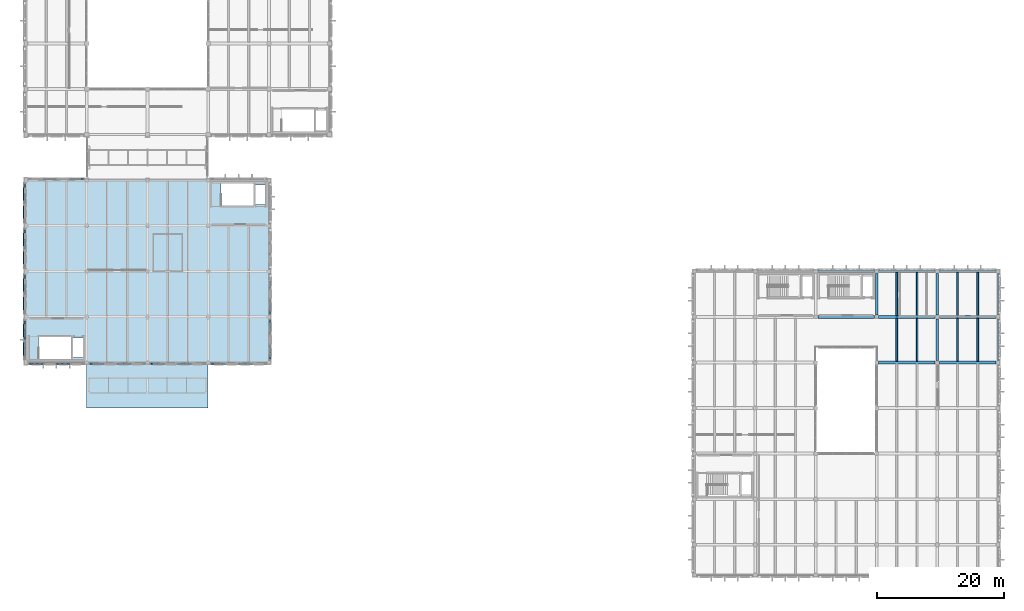
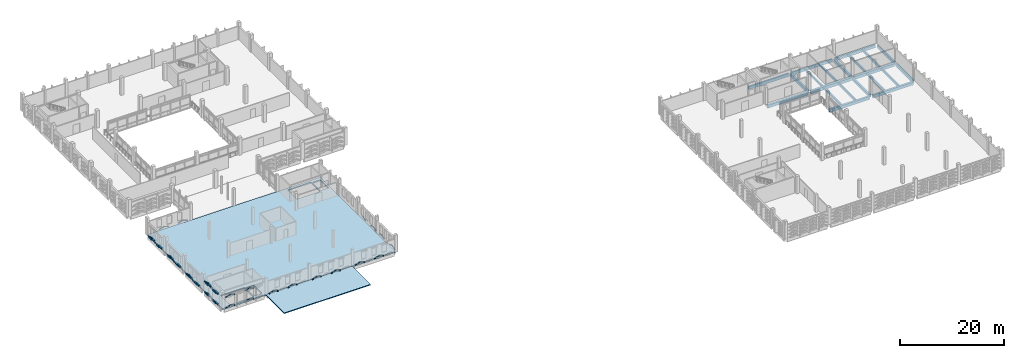
# One storey, part 34 of 72: 61 plates, 21 beams, 2 slabs.
"""IFC4 building model written with IfcOpenShell, lengths in metres."""

from ifc_helpers import new_model, si_unit, direction, frame, origin, origin_2d, place, context, subcontext, project, spatial, polyline, rectangle, hollow_rectangle, outline, extrude, material, layer, layer_set, material_profile, profile_set, type_object, element, save


model = new_model("IFC4")

# Units and contexts
model_context = context("Model", 3, precision=1e-05, world=origin(), true_north=direction((0.0, 1.0)))
body_context = subcontext(model_context, "Body", "Model", "MODEL_VIEW")
ifc_project = project(units=[si_unit("LENGTHUNIT", "METRE"), si_unit("AREAUNIT", "SQUARE_METRE"), si_unit("VOLUMEUNIT", "CUBIC_METRE"), si_unit("PLANEANGLEUNIT", "RADIAN"), si_unit("MASSUNIT", "GRAM", prefix="KILO")], contexts=[model_context])

# Site, building, storey
site_placement = place(None, origin())
site = spatial("IfcSite", under=ifc_project, at=site_placement, CompositionType="ELEMENT")
building_placement = place(site_placement, origin())
building = spatial("IfcBuilding", under=site, at=building_placement, Name="Asteropetra Specialist Clinic", CompositionType="ELEMENT")
storey_placement = place(building_placement, frame((0.0, 0.0, 12.580078125)))
storey = spatial("IfcBuildingStorey", under=building, at=storey_placement, Name="L03", CompositionType="ELEMENT", Elevation=12.580078125)

# Beams
ifc_material_1 = material(Name="Concrete C35/45", Category="concrete")
ifc_material_profile_1 = material_profile(ifc_material_1, rectangle(XDim=0.39990234375, YDim=0.64990234375, at=origin_2d()), Name="RCB 400x650")
ifc_profile_set_1 = profile_set([ifc_material_profile_1], Name="Concrete C35/45")
beam_type_1 = type_object("IfcBeamType", Name="BM-RC400x650", PredefinedType="BEAM", material=ifc_profile_set_1)
for number, where, z_axis, x_axis, name in (
    (1, (144.0, 33.925048828125, -0.625), (0.0, 1.0, 0.0), (-1.0, 0.0, 0.0), "Beam BBM07-1545"),
    (2, (134.39990234375, 41.125, -0.625), (0.0, 1.0, 0.0), (-1.0, 0.0, 0.0), "Beam BBM07-1558"),
    (3, (144.0, 41.125, -0.625), (0.0, 1.0, 0.0), (-1.0, 0.0, 0.0), "Beam BBM07-1559"),
):
    element("IfcBeam", number, at=place(storey_placement, frame(where, z_axis=z_axis, x_axis=x_axis)), inside=storey, type_object=beam_type_1, Name=name, PredefinedType="BEAM", context=body_context, shape_type="SweptSolid", body=[
        extrude(rectangle(XDim=0.39990234375, YDim=0.64990234375, at=origin_2d()), origin(), (0.0, 0.0, 1.0), 6.550048828125),
    ])
ifc_material_2 = material(Name="Concrete C35/45", Category="concrete")
ifc_material_profile_2 = material_profile(ifc_material_2, rectangle(XDim=0.449951171875, YDim=0.699951171875, at=origin_2d()), Name="RCB 450x700")
ifc_profile_set_2 = profile_set([ifc_material_profile_2], Name="Concrete C35/45")
beam_type_2 = type_object("IfcBeamType", Name="BM-RC450x700", PredefinedType="BEAM", material=ifc_profile_set_2)
for number, where, z_axis, x_axis, name in (
    (4, (134.72509765625, 33.60009765625, -0.650146484375), (1.0, 0.0, 0.0), (0.0, 1.0, 0.0), "Beam BBM05-1463"),
    (5, (144.324951171875, 33.60009765625, -0.650146484375), (1.0, 0.0, 0.0), (0.0, 1.0, 0.0), "Beam BBM05-1464"),
    (6, (125.125, 40.800048828125, -0.650146484375), (1.0, 0.0, 0.0), (0.0, 1.0, 0.0), "Beam BBM05-1467"),
    (7, (134.72509765625, 40.800048828125, -0.650146484375), (1.0, 0.0, 0.0), (0.0, 1.0, 0.0), "Beam BBM05-1468"),
    (8, (144.324951171875, 40.800048828125, -0.650146484375), (1.0, 0.0, 0.0), (0.0, 1.0, 0.0), "Beam BBM05-1469"),
):
    element("IfcBeam", number, at=place(storey_placement, frame(where, z_axis=z_axis, x_axis=x_axis)), inside=storey, type_object=beam_type_2, Name=name, PredefinedType="BEAM", context=body_context, shape_type="SweptSolid", body=[
        extrude(rectangle(XDim=0.449951171875, YDim=0.699951171875, at=origin_2d()), origin(), (0.0, 0.0, 1.0), 8.949951171875),
    ])
ifc_material_3 = material(Name="Concrete C35/45", Category="concrete")
ifc_material_profile_3 = material_profile(ifc_material_3, rectangle(XDim=0.280029296875, YDim=0.52001953125, at=origin_2d()), Name="RCJ 280x520")
ifc_profile_set_3 = profile_set([ifc_material_profile_3], Name="Concrete C35/45")
beam_type_3 = type_object("IfcBeamType", Name="JST-RC280x520", PredefinedType="JOIST", material=ifc_profile_set_3)
for number, where, z_axis, x_axis, name in (
    (9, (137.60009765625, 33.824951171875, -0.56005859375), (0.0, 1.0, 0.0), (-1.0, 0.0, 0.0), "Joist JJST01-1551"),
    (10, (140.800048828125, 33.824951171875, -0.56005859375), (0.0, 1.0, 0.0), (-1.0, 0.0, 0.0), "Joist JJST01-1552"),
    (11, (147.199951171875, 33.824951171875, -0.56005859375), (0.0, 1.0, 0.0), (-1.0, 0.0, 0.0), "Joist JJST01-1553"),
    (12, (150.39990234375, 33.824951171875, -0.56005859375), (0.0, 1.0, 0.0), (-1.0, 0.0, 0.0), "Joist JJST01-1554"),
):
    element("IfcBeam", number, at=place(storey_placement, frame(where, z_axis=z_axis, x_axis=x_axis)), inside=storey, type_object=beam_type_3, Name=name, PredefinedType="JOIST", context=body_context, shape_type="SweptSolid", body=[
        extrude(rectangle(XDim=0.280029296875, YDim=0.52001953125, at=origin_2d()), origin(), (0.0, 0.0, 1.0), 6.75),
    ])
for number, where, z_axis, x_axis, name in (
    (13, (137.60009765625, 41.02490234375, -0.56005859375), (0.0, 1.0, 0.0), (-1.0, 0.0, 0.0), "Joist JJST01-1563"),
    (14, (140.800048828125, 41.02490234375, -0.56005859375), (0.0, 1.0, 0.0), (-1.0, 0.0, 0.0), "Joist JJST01-1564"),
    (15, (147.199951171875, 41.02490234375, -0.56005859375), (0.0, 1.0, 0.0), (-1.0, 0.0, 0.0), "Joist JJST01-1565"),
    (16, (150.39990234375, 41.02490234375, -0.56005859375), (0.0, 1.0, 0.0), (-1.0, 0.0, 0.0), "Joist JJST01-1566"),
):
    element("IfcBeam", number, at=place(storey_placement, frame(where, z_axis=z_axis, x_axis=x_axis)), inside=storey, type_object=beam_type_3, Name=name, PredefinedType="JOIST", context=body_context, shape_type="SweptSolid", body=[
        extrude(rectangle(XDim=0.280029296875, YDim=0.52001953125, at=origin_2d()), origin(), (0.0, 0.0, 1.0), 6.815185546875),
    ])
ifc_material_4 = material(Name="Concrete C35/45", Category="concrete")
ifc_material_profile_4 = material_profile(ifc_material_4, rectangle(XDim=0.320068359375, YDim=0.699951171875, at=origin_2d()), Name="RCS 320x700")
ifc_profile_set_4 = profile_set([ifc_material_profile_4], Name="Concrete C35/45")
beam_type_4 = type_object("IfcBeamType", Name="SPN-RC320x700", PredefinedType="SPANDREL", material=ifc_profile_set_4)
for number, where, z_axis, x_axis, name in (
    (17, (125.125, 48.0, -0.650146484375), (1.0, 0.0, 0.0), (0.0, 1.0, 0.0), "Beam BSPN02-1472"),
    (18, (134.72509765625, 48.0, -0.650146484375), (1.0, 0.0, 0.0), (0.0, 1.0, 0.0), "Beam BSPN02-1473"),
    (19, (144.324951171875, 48.0, -0.650146484375), (1.0, 0.0, 0.0), (0.0, 1.0, 0.0), "Beam BSPN02-1474"),
):
    element("IfcBeam", number, at=place(storey_placement, frame(where, z_axis=z_axis, x_axis=x_axis)), inside=storey, type_object=beam_type_4, Name=name, PredefinedType="SPANDREL", context=body_context, shape_type="SweptSolid", body=[
        extrude(rectangle(XDim=0.320068359375, YDim=0.699951171875, at=origin_2d()), origin(), (0.0, 0.0, 1.0), 8.949951171875),
    ])
for number, where, z_axis, x_axis, name in (
    (20, (153.60009765625, 33.925048828125, -0.650146484375), (0.0, 1.0, 0.0), (-1.0, 0.0, 0.0), "Beam BSPN02-1546"),
    (21, (153.60009765625, 41.125, -0.650146484375), (0.0, 1.0, 0.0), (-1.0, 0.0, 0.0), "Beam BSPN02-1560"),
):
    element("IfcBeam", number, at=place(storey_placement, frame(where, z_axis=z_axis, x_axis=x_axis)), inside=storey, type_object=beam_type_4, Name=name, PredefinedType="SPANDREL", context=body_context, shape_type="SweptSolid", body=[
        extrude(rectangle(XDim=0.320068359375, YDim=0.699951171875, at=origin_2d()), origin(), (0.0, 0.0, 1.0), 6.550048828125),
    ])

# Plates
ifc_material_5 = material(Name="Chevron emerald aluminium 6063-T6", Category="aluminium")
ifc_material_profile_5 = material_profile(ifc_material_5, hollow_rectangle(XDim=0.139892578125, YDim=0.139892578125, WallThickness=0.008056640625, InnerFilletRadius=0.008056640625, OuterFilletRadius=0.01611328125, at=origin_2d()), Name="SHS 140x140x8.0")
ifc_profile_set_5 = profile_set([ifc_material_profile_5], Name="Chevron emerald aluminium 6063-T6")
plate_type_1 = type_object("IfcPlateType", Name="CHV-RIB-140", PredefinedType="SHEET", material=ifc_profile_set_5)
plate_1_placement = place(storey_placement, frame((0.614990234375, 33.3955078125, 0.079833984375), z_axis=(0.952021547516, 0.0, 0.306031000169), x_axis=(0.0, 1.0, 0.0)))
element("IfcPlate", 22, at=plate_1_placement, inside=storey, type_object=plate_type_1, Name="Chevron Facade Screen Fin CVR-1914", PredefinedType="SHEET", context=body_context, shape_type="SweptSolid", body=[
    extrude(hollow_rectangle(XDim=0.139892578125, YDim=0.139892578125, WallThickness=0.008056640625, InnerFilletRadius=0.008056640625, OuterFilletRadius=0.01611328125, at=origin_2d()), origin(), (0.0, 0.0, 1.0), 1.086669921875),
])
plate_2_placement = place(storey_placement, frame((1.6494140625, 33.3955078125, 0.412353515625), z_axis=(0.952000497205, 0.0, -0.306096477147), x_axis=(0.0, 1.0, 0.0)))
element("IfcPlate", 23, at=plate_2_placement, inside=storey, type_object=plate_type_1, Name="Chevron Facade Screen Fin CVR-1915", PredefinedType="SHEET", context=body_context, shape_type="SweptSolid", body=[
    extrude(hollow_rectangle(XDim=0.139892578125, YDim=0.139892578125, WallThickness=0.008056640625, InnerFilletRadius=0.008056640625, OuterFilletRadius=0.01611328125, at=origin_2d()), origin(), (0.0, 0.0, 1.0), 1.08642578125),
])
plate_3_placement = place(storey_placement, frame((0.614990234375, 33.3955078125, 2.599853515625), z_axis=(0.952021547516, 0.0, 0.306031000169), x_axis=(0.0, 1.0, 0.0)))
element("IfcPlate", 24, at=plate_3_placement, inside=storey, type_object=plate_type_1, Name="Chevron Facade Screen Fin CVR-1916", PredefinedType="SHEET", context=body_context, shape_type="SweptSolid", body=[
    extrude(hollow_rectangle(XDim=0.139892578125, YDim=0.139892578125, WallThickness=0.008056640625, InnerFilletRadius=0.008056640625, OuterFilletRadius=0.01611328125, at=origin_2d()), origin(), (0.0, 0.0, 1.0), 1.086669921875),
])
plate_4_placement = place(storey_placement, frame((1.6494140625, 33.3955078125, 2.932373046875), z_axis=(0.952000497205, 0.0, -0.306096477147), x_axis=(0.0, 1.0, 0.0)))
element("IfcPlate", 25, at=plate_4_placement, inside=storey, type_object=plate_type_1, Name="Chevron Facade Screen Fin CVR-1917", PredefinedType="SHEET", context=body_context, shape_type="SweptSolid", body=[
    extrude(hollow_rectangle(XDim=0.139892578125, YDim=0.139892578125, WallThickness=0.008056640625, InnerFilletRadius=0.008056640625, OuterFilletRadius=0.01611328125, at=origin_2d()), origin(), (0.0, 0.0, 1.0), 1.08642578125),
])
for number, where, z_axis, x_axis, name in (
    (26, (4.83251953125, 33.3955078125, 0.079833984375), (0.952021547516, 0.0, 0.306031000169), (0.0, 1.0, 0.0), "Chevron Facade Screen Fin CVR-1918"),
    (27, (5.866943359375, 33.3955078125, 0.412353515625), (0.952021547516, 0.0, -0.306031000169), (0.0, 1.0, 0.0), "Chevron Facade Screen Fin CVR-1919"),
    (28, (4.83251953125, 33.3955078125, 2.599853515625), (0.952021547516, 0.0, 0.306031000169), (0.0, 1.0, 0.0), "Chevron Facade Screen Fin CVR-1920"),
    (29, (5.866943359375, 33.3955078125, 2.932373046875), (0.952021547516, 0.0, -0.306031000169), (0.0, 1.0, 0.0), "Chevron Facade Screen Fin CVR-1921"),
    (30, (9.010009765625, 62.6044921875, 0.079833984375), (-0.952021547516, 0.0, 0.306031000169), (0.0, -1.0, 0.0), "Chevron Facade Screen Fin CVR-1922"),
):
    element("IfcPlate", number, at=place(storey_placement, frame(where, z_axis=z_axis, x_axis=x_axis)), inside=storey, type_object=plate_type_1, Name=name, PredefinedType="SHEET", context=body_context, shape_type="SweptSolid", body=[
        extrude(hollow_rectangle(XDim=0.139892578125, YDim=0.139892578125, WallThickness=0.008056640625, InnerFilletRadius=0.008056640625, OuterFilletRadius=0.01611328125, at=origin_2d()), origin(), (0.0, 0.0, 1.0), 1.086669921875),
    ])
plate_5_placement = place(storey_placement, frame((7.9755859375, 62.6044921875, 0.412353515625), z_axis=(-0.952000497205, 0.0, -0.306096477147), x_axis=(0.0, -1.0, 0.0)))
element("IfcPlate", 31, at=plate_5_placement, inside=storey, type_object=plate_type_1, Name="Chevron Facade Screen Fin CVR-1923", PredefinedType="SHEET", context=body_context, shape_type="SweptSolid", body=[
    extrude(hollow_rectangle(XDim=0.139892578125, YDim=0.139892578125, WallThickness=0.008056640625, InnerFilletRadius=0.008056640625, OuterFilletRadius=0.01611328125, at=origin_2d()), origin(), (0.0, 0.0, 1.0), 1.08642578125),
])
for number, where, z_axis, x_axis, name in (
    (32, (4.79248046875, 62.6044921875, 0.079833984375), (-0.952021547516, 0.0, 0.306031000169), (0.0, -1.0, 0.0), "Chevron Facade Screen Fin CVR-1924"),
    (33, (3.758056640625, 62.6044921875, 0.412353515625), (-0.952021547516, 0.0, -0.306031000169), (0.0, -1.0, 0.0), "Chevron Facade Screen Fin CVR-1925"),
):
    element("IfcPlate", number, at=place(storey_placement, frame(where, z_axis=z_axis, x_axis=x_axis)), inside=storey, type_object=plate_type_1, Name=name, PredefinedType="SHEET", context=body_context, shape_type="SweptSolid", body=[
        extrude(hollow_rectangle(XDim=0.139892578125, YDim=0.139892578125, WallThickness=0.008056640625, InnerFilletRadius=0.008056640625, OuterFilletRadius=0.01611328125, at=origin_2d()), origin(), (0.0, 0.0, 1.0), 1.086669921875),
    ])
plate_6_placement = place(storey_placement, frame((10.18994140625, 33.3955078125, 0.079833984375), z_axis=(0.952033222609, 0.0, 0.305994678137), x_axis=(0.0, 1.0, 0.0)))
element("IfcPlate", 34, at=plate_6_placement, inside=storey, type_object=plate_type_1, Name="Chevron Facade Screen Fin CVR-1926", PredefinedType="SHEET", context=body_context, shape_type="SweptSolid", body=[
    extrude(hollow_rectangle(XDim=0.139892578125, YDim=0.139892578125, WallThickness=0.008056640625, InnerFilletRadius=0.008056640625, OuterFilletRadius=0.01611328125, at=origin_2d()), origin(), (0.0, 0.0, 1.0), 1.08984375),
])
plate_7_placement = place(storey_placement, frame((11.2275390625, 33.3955078125, 0.413330078125), z_axis=(0.952012241431, 0.0, -0.306059948646), x_axis=(0.0, 1.0, 0.0)))
element("IfcPlate", 35, at=plate_7_placement, inside=storey, type_object=plate_type_1, Name="Chevron Facade Screen Fin CVR-1927", PredefinedType="SHEET", context=body_context, shape_type="SweptSolid", body=[
    extrude(hollow_rectangle(XDim=0.139892578125, YDim=0.139892578125, WallThickness=0.008056640625, InnerFilletRadius=0.008056640625, OuterFilletRadius=0.01611328125, at=origin_2d()), origin(), (0.0, 0.0, 1.0), 1.089599609375),
])
for number, where, z_axis, x_axis, name in (
    (36, (14.419921875, 33.3955078125, 0.079833984375), (0.952033222609, 0.0, 0.305994678137), (0.0, 1.0, 0.0), "Chevron Facade Screen Fin CVR-1928"),
    (37, (15.45751953125, 33.3955078125, 0.413330078125), (0.952033222609, 0.0, -0.305994678137), (0.0, 1.0, 0.0), "Chevron Facade Screen Fin CVR-1929"),
):
    element("IfcPlate", number, at=place(storey_placement, frame(where, z_axis=z_axis, x_axis=x_axis)), inside=storey, type_object=plate_type_1, Name=name, PredefinedType="SHEET", context=body_context, shape_type="SweptSolid", body=[
        extrude(hollow_rectangle(XDim=0.139892578125, YDim=0.139892578125, WallThickness=0.008056640625, InnerFilletRadius=0.008056640625, OuterFilletRadius=0.01611328125, at=origin_2d()), origin(), (0.0, 0.0, 1.0), 1.08984375),
    ])
plate_8_placement = place(storey_placement, frame((19.7900390625, 33.3955078125, 0.079833984375), z_axis=(0.952012241431, 0.0, 0.306059948646), x_axis=(0.0, 1.0, 0.0)))
element("IfcPlate", 38, at=plate_8_placement, inside=storey, type_object=plate_type_1, Name="Chevron Facade Screen Fin CVR-1930", PredefinedType="SHEET", context=body_context, shape_type="SweptSolid", body=[
    extrude(hollow_rectangle(XDim=0.139892578125, YDim=0.139892578125, WallThickness=0.008056640625, InnerFilletRadius=0.008056640625, OuterFilletRadius=0.01611328125, at=origin_2d()), origin(), (0.0, 0.0, 1.0), 1.089599609375),
])
for number, where, z_axis, x_axis, name in (
    (39, (20.827392578125, 33.3955078125, 0.413330078125), (0.952033222609, 0.0, -0.305994678137), (0.0, 1.0, 0.0), "Chevron Facade Screen Fin CVR-1931"),
    (40, (24.02001953125, 33.3955078125, 0.079833984375), (0.952033222609, 0.0, 0.305994678137), (0.0, 1.0, 0.0), "Chevron Facade Screen Fin CVR-1932"),
):
    element("IfcPlate", number, at=place(storey_placement, frame(where, z_axis=z_axis, x_axis=x_axis)), inside=storey, type_object=plate_type_1, Name=name, PredefinedType="SHEET", context=body_context, shape_type="SweptSolid", body=[
        extrude(hollow_rectangle(XDim=0.139892578125, YDim=0.139892578125, WallThickness=0.008056640625, InnerFilletRadius=0.008056640625, OuterFilletRadius=0.01611328125, at=origin_2d()), origin(), (0.0, 0.0, 1.0), 1.08984375),
    ])
plate_9_placement = place(storey_placement, frame((25.0576171875, 33.3955078125, 0.413330078125), z_axis=(0.952012241431, 0.0, -0.306059948646), x_axis=(0.0, 1.0, 0.0)))
element("IfcPlate", 41, at=plate_9_placement, inside=storey, type_object=plate_type_1, Name="Chevron Facade Screen Fin CVR-1933", PredefinedType="SHEET", context=body_context, shape_type="SweptSolid", body=[
    extrude(hollow_rectangle(XDim=0.139892578125, YDim=0.139892578125, WallThickness=0.008056640625, InnerFilletRadius=0.008056640625, OuterFilletRadius=0.01611328125, at=origin_2d()), origin(), (0.0, 0.0, 1.0), 1.089599609375),
])
for number, where, z_axis, x_axis, name in (
    (42, (29.389892578125, 33.3955078125, 0.079833984375), (0.952033222609, 0.0, 0.305994678137), (0.0, 1.0, 0.0), "Chevron Facade Screen Fin CVR-1934"),
    (43, (30.427490234375, 33.3955078125, 0.413330078125), (0.952033222609, 0.0, -0.305994678137), (0.0, 1.0, 0.0), "Chevron Facade Screen Fin CVR-1935"),
):
    element("IfcPlate", number, at=place(storey_placement, frame(where, z_axis=z_axis, x_axis=x_axis)), inside=storey, type_object=plate_type_1, Name=name, PredefinedType="SHEET", context=body_context, shape_type="SweptSolid", body=[
        extrude(hollow_rectangle(XDim=0.139892578125, YDim=0.139892578125, WallThickness=0.008056640625, InnerFilletRadius=0.008056640625, OuterFilletRadius=0.01611328125, at=origin_2d()), origin(), (0.0, 0.0, 1.0), 1.08984375),
    ])
plate_10_placement = place(storey_placement, frame((33.6201171875, 33.3955078125, 0.079833984375), z_axis=(0.952012241431, 0.0, 0.306059948646), x_axis=(0.0, 1.0, 0.0)))
element("IfcPlate", 44, at=plate_10_placement, inside=storey, type_object=plate_type_1, Name="Chevron Facade Screen Fin CVR-1936", PredefinedType="SHEET", context=body_context, shape_type="SweptSolid", body=[
    extrude(hollow_rectangle(XDim=0.139892578125, YDim=0.139892578125, WallThickness=0.008056640625, InnerFilletRadius=0.008056640625, OuterFilletRadius=0.01611328125, at=origin_2d()), origin(), (0.0, 0.0, 1.0), 1.089599609375),
])
plate_11_placement = place(storey_placement, frame((34.657470703125, 33.3955078125, 0.413330078125), z_axis=(0.952033222609, 0.0, -0.305994678137), x_axis=(0.0, 1.0, 0.0)))
element("IfcPlate", 45, at=plate_11_placement, inside=storey, type_object=plate_type_1, Name="Chevron Facade Screen Fin CVR-1937", PredefinedType="SHEET", context=body_context, shape_type="SweptSolid", body=[
    extrude(hollow_rectangle(XDim=0.139892578125, YDim=0.139892578125, WallThickness=0.008056640625, InnerFilletRadius=0.008056640625, OuterFilletRadius=0.01611328125, at=origin_2d()), origin(), (0.0, 0.0, 1.0), 1.08984375),
])
plate_12_placement = place(storey_placement, frame((-0.20458984375, 40.0849609375, 0.079833984375), z_axis=(0.0, -0.952491984317, 0.304563654777), x_axis=(1.0, 0.0, 0.0)))
element("IfcPlate", 46, at=plate_12_placement, inside=storey, type_object=plate_type_1, Name="Chevron Facade Screen Fin CVR-1946", PredefinedType="SHEET", context=body_context, shape_type="SweptSolid", body=[
    extrude(hollow_rectangle(XDim=0.139892578125, YDim=0.139892578125, WallThickness=0.008056640625, InnerFilletRadius=0.008056640625, OuterFilletRadius=0.01611328125, at=origin_2d()), origin(), (0.0, 0.0, 1.0), 1.50390625),
])
plate_13_placement = place(storey_placement, frame((-0.20458984375, 38.652587890625, 0.537841796875), z_axis=(0.0, -0.952507040007, -0.304516565619), x_axis=(1.0, 0.0, 0.0)))
element("IfcPlate", 47, at=plate_13_placement, inside=storey, type_object=plate_type_1, Name="Chevron Facade Screen Fin CVR-1947", PredefinedType="SHEET", context=body_context, shape_type="SweptSolid", body=[
    extrude(hollow_rectangle(XDim=0.139892578125, YDim=0.139892578125, WallThickness=0.008056640625, InnerFilletRadius=0.008056640625, OuterFilletRadius=0.01611328125, at=origin_2d()), origin(), (0.0, 0.0, 1.0), 1.504150390625),
])
plate_14_placement = place(storey_placement, frame((-0.20458984375, 40.0849609375, 2.599853515625), z_axis=(0.0, -0.961363015299, 0.275283767803), x_axis=(1.0, 0.0, 0.0)))
element("IfcPlate", 48, at=plate_14_placement, inside=storey, type_object=plate_type_1, Name="Chevron Facade Screen Fin CVR-1948", PredefinedType="SHEET", context=body_context, shape_type="SweptSolid", body=[
    extrude(hollow_rectangle(XDim=0.139892578125, YDim=0.139892578125, WallThickness=0.008056640625, InnerFilletRadius=0.008056640625, OuterFilletRadius=0.01611328125, at=origin_2d()), origin(), (0.0, 0.0, 1.0), 1.489990234375),
])
plate_15_placement = place(storey_placement, frame((-0.20458984375, 38.652587890625, 3.010009765625), z_axis=(0.0, -0.961375429818, -0.275240409355), x_axis=(1.0, 0.0, 0.0)))
element("IfcPlate", 49, at=plate_15_placement, inside=storey, type_object=plate_type_1, Name="Chevron Facade Screen Fin CVR-1949", PredefinedType="SHEET", context=body_context, shape_type="SweptSolid", body=[
    extrude(hollow_rectangle(XDim=0.139892578125, YDim=0.139892578125, WallThickness=0.008056640625, InnerFilletRadius=0.008056640625, OuterFilletRadius=0.01611328125, at=origin_2d()), origin(), (0.0, 0.0, 1.0), 1.490234375),
])
for number, where, z_axis, x_axis, name in (
    (50, (38.6044921875, 34.18994140625, 0.079833984375), (0.0, 0.951918587177, 0.306351111286), (-1.0, 0.0, 0.0), "Chevron Facade Screen Fin CVR-1950"),
    (51, (38.6044921875, 35.179931640625, 0.3984375), (0.0, 0.951918587177, -0.306351111286), (-1.0, 0.0, 0.0), "Chevron Facade Screen Fin CVR-1951"),
    (52, (38.6044921875, 38.22998046875, 0.079833984375), (0.0, 0.951918587177, 0.306351111286), (-1.0, 0.0, 0.0), "Chevron Facade Screen Fin CVR-1952"),
    (53, (38.6044921875, 39.219970703125, 0.3984375), (0.0, 0.951918587177, -0.306351111286), (-1.0, 0.0, 0.0), "Chevron Facade Screen Fin CVR-1953"),
):
    element("IfcPlate", number, at=place(storey_placement, frame(where, z_axis=z_axis, x_axis=x_axis)), inside=storey, type_object=plate_type_1, Name=name, PredefinedType="SHEET", context=body_context, shape_type="SweptSolid", body=[
        extrude(hollow_rectangle(XDim=0.139892578125, YDim=0.139892578125, WallThickness=0.008056640625, InnerFilletRadius=0.008056640625, OuterFilletRadius=0.01611328125, at=origin_2d()), origin(), (0.0, 0.0, 1.0), 1.0400390625),
    ])
plate_16_placement = place(storey_placement, frame((-0.20458984375, 47.284912109375, 0.079833984375), z_axis=(0.0, -0.952491984317, 0.304563654777), x_axis=(1.0, 0.0, 0.0)))
element("IfcPlate", 54, at=plate_16_placement, inside=storey, type_object=plate_type_1, Name="Chevron Facade Screen Fin CVR-1954", PredefinedType="SHEET", context=body_context, shape_type="SweptSolid", body=[
    extrude(hollow_rectangle(XDim=0.139892578125, YDim=0.139892578125, WallThickness=0.008056640625, InnerFilletRadius=0.008056640625, OuterFilletRadius=0.01611328125, at=origin_2d()), origin(), (0.0, 0.0, 1.0), 1.50390625),
])
plate_17_placement = place(storey_placement, frame((-0.20458984375, 45.8525390625, 0.537841796875), z_axis=(0.0, -0.952507040007, -0.304516565619), x_axis=(1.0, 0.0, 0.0)))
element("IfcPlate", 55, at=plate_17_placement, inside=storey, type_object=plate_type_1, Name="Chevron Facade Screen Fin CVR-1955", PredefinedType="SHEET", context=body_context, shape_type="SweptSolid", body=[
    extrude(hollow_rectangle(XDim=0.139892578125, YDim=0.139892578125, WallThickness=0.008056640625, InnerFilletRadius=0.008056640625, OuterFilletRadius=0.01611328125, at=origin_2d()), origin(), (0.0, 0.0, 1.0), 1.504150390625),
])
plate_18_placement = place(storey_placement, frame((38.6044921875, 41.389892578125, 0.079833984375), z_axis=(0.0, 0.951918587177, 0.306351111286), x_axis=(-1.0, 0.0, 0.0)))
element("IfcPlate", 56, at=plate_18_placement, inside=storey, type_object=plate_type_1, Name="Chevron Facade Screen Fin CVR-1956", PredefinedType="SHEET", context=body_context, shape_type="SweptSolid", body=[
    extrude(hollow_rectangle(XDim=0.139892578125, YDim=0.139892578125, WallThickness=0.008056640625, InnerFilletRadius=0.008056640625, OuterFilletRadius=0.01611328125, at=origin_2d()), origin(), (0.0, 0.0, 1.0), 1.0400390625),
])
plate_19_placement = place(storey_placement, frame((38.6044921875, 42.3798828125, 0.3984375), z_axis=(0.0, 0.951940611487, -0.306282667158), x_axis=(-1.0, 0.0, 0.0)))
element("IfcPlate", 57, at=plate_19_placement, inside=storey, type_object=plate_type_1, Name="Chevron Facade Screen Fin CVR-1957", PredefinedType="SHEET", context=body_context, shape_type="SweptSolid", body=[
    extrude(hollow_rectangle(XDim=0.139892578125, YDim=0.139892578125, WallThickness=0.008056640625, InnerFilletRadius=0.008056640625, OuterFilletRadius=0.01611328125, at=origin_2d()), origin(), (0.0, 0.0, 1.0), 1.040283203125),
])
plate_20_placement = place(storey_placement, frame((38.6044921875, 45.429931640625, 0.079833984375), z_axis=(0.0, 0.951918587177, 0.306351111286), x_axis=(-1.0, 0.0, 0.0)))
element("IfcPlate", 58, at=plate_20_placement, inside=storey, type_object=plate_type_1, Name="Chevron Facade Screen Fin CVR-1958", PredefinedType="SHEET", context=body_context, shape_type="SweptSolid", body=[
    extrude(hollow_rectangle(XDim=0.139892578125, YDim=0.139892578125, WallThickness=0.008056640625, InnerFilletRadius=0.008056640625, OuterFilletRadius=0.01611328125, at=origin_2d()), origin(), (0.0, 0.0, 1.0), 1.0400390625),
])
plate_21_placement = place(storey_placement, frame((-0.20458984375, 54.485107421875, 0.079833984375), z_axis=(0.0, -0.952507040007, 0.304516565619), x_axis=(1.0, 0.0, 0.0)))
element("IfcPlate", 59, at=plate_21_placement, inside=storey, type_object=plate_type_1, Name="Chevron Facade Screen Fin CVR-1960", PredefinedType="SHEET", context=body_context, shape_type="SweptSolid", body=[
    extrude(hollow_rectangle(XDim=0.139892578125, YDim=0.139892578125, WallThickness=0.008056640625, InnerFilletRadius=0.008056640625, OuterFilletRadius=0.01611328125, at=origin_2d()), origin(), (0.0, 0.0, 1.0), 1.504150390625),
])
plate_22_placement = place(storey_placement, frame((-0.20458984375, 53.052490234375, 0.537841796875), z_axis=(0.0, -0.952491984317, -0.304563654777), x_axis=(1.0, 0.0, 0.0)))
element("IfcPlate", 60, at=plate_22_placement, inside=storey, type_object=plate_type_1, Name="Chevron Facade Screen Fin CVR-1961", PredefinedType="SHEET", context=body_context, shape_type="SweptSolid", body=[
    extrude(hollow_rectangle(XDim=0.139892578125, YDim=0.139892578125, WallThickness=0.008056640625, InnerFilletRadius=0.008056640625, OuterFilletRadius=0.01611328125, at=origin_2d()), origin(), (0.0, 0.0, 1.0), 1.50390625),
])
plate_23_placement = place(storey_placement, frame((-0.20458984375, 61.68505859375, 0.079833984375), z_axis=(0.0, -0.952507040007, 0.304516565619), x_axis=(1.0, 0.0, 0.0)))
element("IfcPlate", 61, at=plate_23_placement, inside=storey, type_object=plate_type_1, Name="Chevron Facade Screen Fin CVR-1966", PredefinedType="SHEET", context=body_context, shape_type="SweptSolid", body=[
    extrude(hollow_rectangle(XDim=0.139892578125, YDim=0.139892578125, WallThickness=0.008056640625, InnerFilletRadius=0.008056640625, OuterFilletRadius=0.01611328125, at=origin_2d()), origin(), (0.0, 0.0, 1.0), 1.504150390625),
])
plate_24_placement = place(storey_placement, frame((-0.20458984375, 60.25244140625, 0.537841796875), z_axis=(0.0, -0.952491984317, -0.304563654777), x_axis=(1.0, 0.0, 0.0)))
element("IfcPlate", 62, at=plate_24_placement, inside=storey, type_object=plate_type_1, Name="Chevron Facade Screen Fin CVR-1967", PredefinedType="SHEET", context=body_context, shape_type="SweptSolid", body=[
    extrude(hollow_rectangle(XDim=0.139892578125, YDim=0.139892578125, WallThickness=0.008056640625, InnerFilletRadius=0.008056640625, OuterFilletRadius=0.01611328125, at=origin_2d()), origin(), (0.0, 0.0, 1.0), 1.50390625),
])
ifc_material_6 = material(Name="Aluminium 6063-T6", Category="aluminium")
ifc_layer_1 = layer(ifc_material_6, 0.139892578125)
ifc_layer_set_1 = layer_set([ifc_layer_1], Name="Aluminium 6063-T6")
plate_type_2 = type_object("IfcPlateType", Name="PLT-CHV-TILE", PredefinedType="SHEET", material=ifc_layer_set_1)
for number, where, z_axis, x_axis, name in (
    (63, (-0.2724609375, 39.0537109375, 0.0673828125), (0.0, 0.0, 1.0), (1.0, 0.0, 0.0), "Chevron Ceramic Panel CPT-1629"),
    (64, (-0.2724609375, 38.25146484375, 0.2412109375), (0.0, 0.0, 1.0), (1.0, 0.0, 0.0), "Chevron Ceramic Panel CPT-1630"),
    (65, (-0.2724609375, 39.0537109375, 2.57275390625), (0.0, 0.0, 1.0), (1.0, 0.0, 0.0), "Chevron Ceramic Panel CPT-1631"),
    (66, (-0.2724609375, 38.25146484375, 2.728515625), (0.0, 0.0, 1.0), (1.0, 0.0, 0.0), "Chevron Ceramic Panel CPT-1632"),
    (67, (-0.2724609375, 36.148681640625, 0.0673828125), (0.0, 0.0, 1.0), (1.0, 0.0, 0.0), "Chevron Ceramic Panel CPT-1633"),
    (68, (-0.2724609375, 35.346435546875, 0.2412109375), (0.0, 0.0, 1.0), (1.0, 0.0, 0.0), "Chevron Ceramic Panel CPT-1634"),
    (69, (-0.2724609375, 36.148681640625, 2.57275390625), (0.0, 0.0, 1.0), (1.0, 0.0, 0.0), "Chevron Ceramic Panel CPT-1635"),
    (70, (-0.2724609375, 35.346435546875, 2.728515625), (0.0, 0.0, 1.0), (1.0, 0.0, 0.0), "Chevron Ceramic Panel CPT-1636"),
    (71, (-0.2724609375, 46.253662109375, 0.0673828125), (0.0, 0.0, 1.0), (1.0, 0.0, 0.0), "Chevron Ceramic Panel CPT-1643"),
    (72, (-0.2724609375, 45.451416015625, 0.2412109375), (0.0, 0.0, 1.0), (1.0, 0.0, 0.0), "Chevron Ceramic Panel CPT-1644"),
    (73, (-0.2724609375, 43.3486328125, 0.0673828125), (0.0, 0.0, 1.0), (1.0, 0.0, 0.0), "Chevron Ceramic Panel CPT-1645"),
    (74, (-0.2724609375, 42.54638671875, 0.2412109375), (0.0, 0.0, 1.0), (1.0, 0.0, 0.0), "Chevron Ceramic Panel CPT-1646"),
    (75, (-0.2724609375, 53.45361328125, 0.0673828125), (0.0, 0.0, 1.0), (1.0, 0.0, 0.0), "Chevron Ceramic Panel CPT-1653"),
    (76, (-0.2724609375, 52.6513671875, 0.2412109375), (0.0, 0.0, 1.0), (1.0, 0.0, 0.0), "Chevron Ceramic Panel CPT-1654"),
    (77, (-0.2724609375, 50.548583984375, 0.0673828125), (0.0, 0.0, 1.0), (1.0, 0.0, 0.0), "Chevron Ceramic Panel CPT-1655"),
    (78, (-0.2724609375, 49.746337890625, 0.2412109375), (0.0, 0.0, 1.0), (1.0, 0.0, 0.0), "Chevron Ceramic Panel CPT-1656"),
    (79, (-0.2724609375, 60.653564453125, 0.0673828125), (0.0, 0.0, 1.0), (1.0, 0.0, 0.0), "Chevron Ceramic Panel CPT-1663"),
    (80, (-0.2724609375, 59.851318359375, 0.2412109375), (0.0, 0.0, 1.0), (1.0, 0.0, 0.0), "Chevron Ceramic Panel CPT-1664"),
    (81, (-0.2724609375, 57.74853515625, 0.0673828125), (0.0, 0.0, 1.0), (1.0, 0.0, 0.0), "Chevron Ceramic Panel CPT-1665"),
    (82, (-0.2724609375, 56.9462890625, 0.2412109375), (0.0, 0.0, 1.0), (1.0, 0.0, 0.0), "Chevron Ceramic Panel CPT-1666"),
):
    element("IfcPlate", number, at=place(storey_placement, frame(where, z_axis=z_axis, x_axis=x_axis)), inside=storey, type_object=plate_type_2, Name=name, PredefinedType="SHEET", context=body_context, shape_type="SweptSolid", body=[
        extrude(rectangle(XDim=0.280029296875, YDim=1.14599609375, at=origin_2d()), origin(), (0.0, 0.0, 1.0), 0.300048828125),
    ])

# Slabs
ifc_material_7 = material(Name="Concrete C35/45", Category="concrete")
ifc_layer_2 = layer(ifc_material_7, 0.300048828125)
ifc_layer_set_2 = layer_set([ifc_layer_2], Name="Concrete C35/45")
slab_type_1 = type_object("IfcSlabType", Name="SLB-FLR-300", PredefinedType="FLOOR", material=ifc_layer_set_2)
slab_1_placement = place(storey_placement, frame((0.0, 0.0, -0.300048828125)))
element("IfcSlab", 83, at=slab_1_placement, inside=storey, type_object=slab_type_1, Name="Slab V5 L03", PredefinedType="FLOOR", context=body_context, shape_type="SweptSolid", body=[
    extrude(outline(polyline([(0.0, 33.60009765625), (38.39990234375, 33.60009765625), (38.39990234375, 62.39990234375), (0.0, 62.39990234375), (0.0, 33.60009765625)]), holes=[polyline([(2.0, 34.1201171875), (7.179931640625, 34.1201171875), (7.179931640625, 37.699951171875), (2.0, 37.699951171875), (2.0, 34.1201171875)]), polyline([(7.449951171875, 34.3701171875), (9.199951171875, 34.3701171875), (9.199951171875, 37.449951171875), (7.449951171875, 37.449951171875), (7.449951171875, 34.3701171875)]), polyline([(30.800048828125, 58.300048828125), (35.97998046875, 58.300048828125), (35.97998046875, 61.8798828125), (30.800048828125, 61.8798828125), (30.800048828125, 58.300048828125)]), polyline([(36.25, 58.550048828125), (37.949951171875, 58.550048828125), (37.949951171875, 61.6298828125), (36.25, 61.6298828125), (36.25, 58.550048828125)])]), origin(), (0.0, 0.0, 1.0), 0.300048828125),
])
ifc_material_8 = material(Name="Concrete C35/45", Category="concrete")
ifc_layer_3 = layer(ifc_material_8, 0.18994140625)
ifc_layer_set_3 = layer_set([ifc_layer_3], Name="Concrete C35/45")
slab_type_2 = type_object("IfcSlabType", Name="SLB-ROOF-190", PredefinedType="ROOF", material=ifc_layer_set_3)
slab_2_placement = place(storey_placement, frame((0.0, 0.0, -0.190185546875)))
element("IfcSlab", 84, at=slab_2_placement, inside=storey, type_object=slab_type_2, Name="Slab LP1-ROOF L03", PredefinedType="ROOF", context=body_context, shape_type="SweptSolid", body=[
    extrude(outline(polyline([(9.60009765625, 26.43994140625), (28.800048828125, 26.43994140625), (28.800048828125, 33.56005859375), (9.60009765625, 33.56005859375), (9.60009765625, 26.43994140625)])), origin(), (0.0, 0.0, 1.0), 0.190185546875),
])

save(model, "model.ifc")
